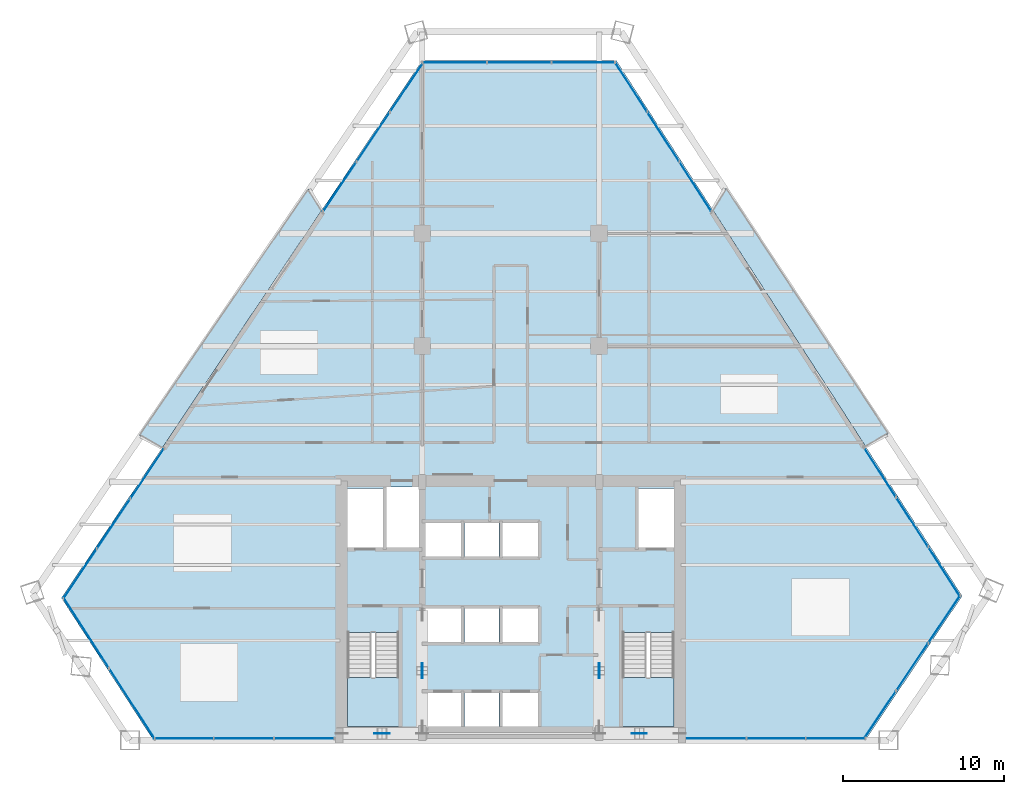
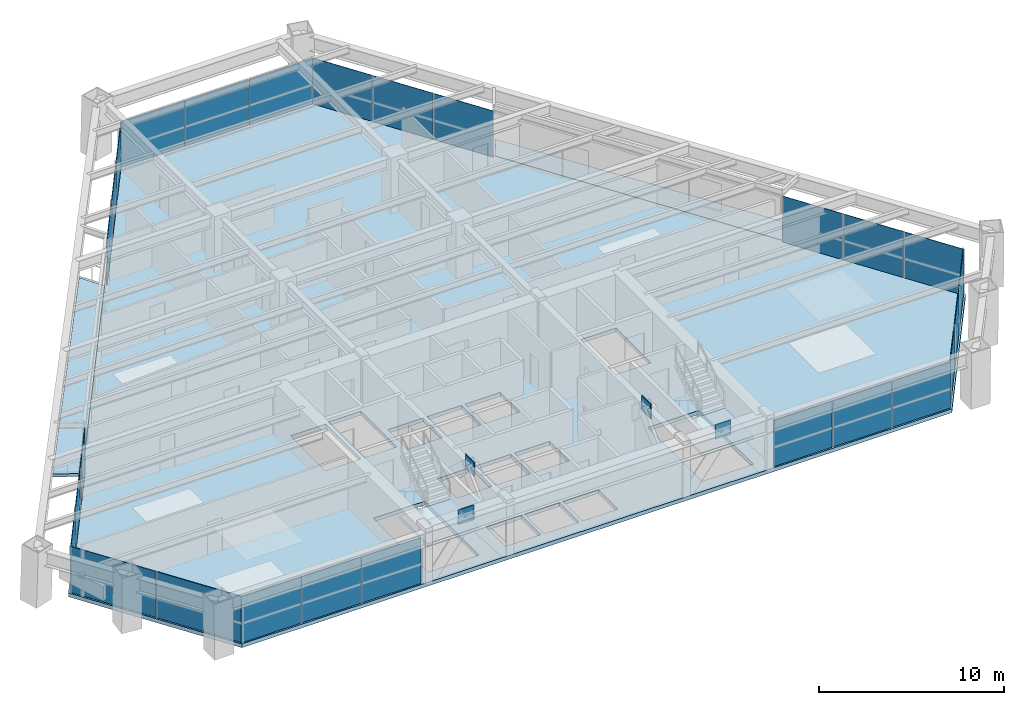
# One storey, part 9 of 14: 30 plates, 5 slabs, 11 elements without a shape of their own.
"""IFC4 building model written with IfcOpenShell, lengths in metres."""

from ifc_helpers import new_model, si_unit, direction, frame, origin, origin_2d, place, context, subcontext, project, spatial, polyline, rectangle, outline, extrude, source, transform, mapped, material, layer, layer_set, type_object, element, aggregate, save


model = new_model("IFC4")

# Units and contexts
model_context = context("Model", 3, precision=1e-05, world=origin(), true_north=direction((0.0, 1.0)))
body_context = subcontext(model_context, "Body", "Model", "MODEL_VIEW")
ifc_project = project(units=[si_unit("LENGTHUNIT", "METRE"), si_unit("AREAUNIT", "SQUARE_METRE"), si_unit("VOLUMEUNIT", "CUBIC_METRE"), si_unit("PLANEANGLEUNIT", "RADIAN"), si_unit("MASSUNIT", "GRAM", prefix="KILO")], contexts=[model_context])

# Site, building, storey
site_placement = place(None, origin())
site = spatial("IfcSite", under=ifc_project, at=site_placement, CompositionType="ELEMENT")
building_placement = place(site_placement, origin())
building = spatial("IfcBuilding", under=site, at=building_placement, Name="Varnakhor Terracotta Tower", CompositionType="ELEMENT")
storey_placement = place(building_placement, frame((0.0, 0.0, 98.800048828125)))
storey = spatial("IfcBuildingStorey", under=building, at=storey_placement, Name="L24", CompositionType="ELEMENT", Elevation=98.800048828125)

# Stair, slab
ifc_material_1 = material(Name="Concrete C40/50", Category="concrete")
stair_type = type_object("IfcStairType", Name="STR-CORE-OFFICE-1500", PredefinedType="HALF_TURN_STAIR", material=ifc_material_1)
stair_1_placement = place(storey_placement, origin())
stair_1 = element("IfcStair", 1, at=stair_1_placement, inside=storey, type_object=stair_type, Name="L24 Core Exit Stair ST-1", PredefinedType="HALF_TURN_STAIR")
ifc_layer_1 = layer(ifc_material_1, 0.179931640625, Name="Concrete C40/50")
ifc_layer_set_1 = layer_set([ifc_layer_1], Name="Concrete C40/50")
slab_type_1 = type_object("IfcSlabType", Name="SLB-LANDING-180", PredefinedType="LANDING", material=ifc_layer_set_1)
slab_1_placement = place(storey_placement, frame((0.0, 0.0, 1.64990234375)))
slab_1 = element("IfcSlab", 2, at=slab_1_placement, type_object=slab_type_1, Name="ST-1 landing 1", PredefinedType="LANDING", context=body_context, shape_type="SweptSolid", body=[
    extrude(outline(polyline([(-10.14990234375, 3.909912109375), (-10.14990234375, 0.85009765625), (-6.949951171875, 0.85009765625), (-6.949951171875, 3.909912109375), (-10.14990234375, 3.909912109375)])), origin(), (0.0, 0.0, 1.0), 0.199951171875),
])
aggregate(stair_1, [slab_1])

stair_2_placement = place(storey_placement, origin())
stair_2 = element("IfcStair", 3, at=stair_2_placement, inside=storey, type_object=stair_type, Name="L24 Core Exit Stair ST-2", PredefinedType="HALF_TURN_STAIR")
slab_2_placement = place(storey_placement, frame((0.0, 0.0, 1.64990234375)))
slab_2 = element("IfcSlab", 4, at=slab_2_placement, type_object=slab_type_1, Name="ST-2 landing 1", PredefinedType="LANDING", context=body_context, shape_type="SweptSolid", body=[
    extrude(outline(polyline([(6.949951171875, 3.909912109375), (6.949951171875, 0.85009765625), (10.14990234375, 0.85009765625), (10.14990234375, 3.909912109375), (6.949951171875, 3.909912109375)])), origin(), (0.0, 0.0, 1.0), 0.199951171875),
])
aggregate(stair_2, [slab_2])

# Slabs
ifc_layer_2 = layer(ifc_material_1, 0.195068359375, Name="Concrete C40/50")
ifc_layer_set_2 = layer_set([ifc_layer_2], Name="Concrete C40/50")
slab_type_2 = type_object("IfcSlabType", Name="SLB-LOGGIA-EXT-195", PredefinedType="FLOOR", material=ifc_layer_set_2)
slab_3_placement = place(storey_placement, frame((0.0, 0.0, -0.195068359375)))
element("IfcSlab", 5, at=slab_3_placement, inside=storey, type_object=slab_type_2, Name="L24 E Recessed Outdoor Loggia Slab", PredefinedType="FLOOR", context=body_context, shape_type="SweptSolid", body=[
    extrude(outline(polyline([(13.381591796875, 34.306640625), (23.467529296875, 19.051513671875), (22.0498046875, 18.286865234375), (21.93359375, 18.466796875), (12.590576171875, 32.929443359375), (13.381591796875, 34.306640625)])), origin(), (0.0, 0.0, 1.0), 0.195068359375),
])
slab_4_placement = place(storey_placement, frame((0.0, 0.0, -0.195068359375)))
element("IfcSlab", 6, at=slab_4_placement, inside=storey, type_object=slab_type_2, Name="L24 W Recessed Outdoor Loggia Slab", PredefinedType="FLOOR", context=body_context, shape_type="SweptSolid", body=[
    extrude(outline(polyline([(-23.071044921875, 18.95703125), (-12.576171875, 34.269775390625), (-11.78369140625, 32.894287109375), (-12.991943359375, 31.09423828125), (-21.649658203125, 18.196044921875), (-23.071044921875, 18.95703125)])), origin(), (0.0, 0.0, 1.0), 0.195068359375),
])
ifc_layer_3 = layer(ifc_material_1, 0.25, Name="Concrete C40/50")
ifc_layer_set_3 = layer_set([ifc_layer_3], Name="Concrete C40/50")
slab_type_3 = type_object("IfcSlabType", Name="SLB-OFF-250", PredefinedType="FLOOR", material=ifc_layer_set_3)
slab_5_placement = place(storey_placement, frame((0.0, 0.0, -0.25)))
element("IfcSlab", 7, at=slab_5_placement, inside=storey, type_object=slab_type_3, Name="L24 Structural Floor Slab", PredefinedType="FLOOR", context=body_context, shape_type="SweptSolid", body=[
    extrude(outline(polyline([(-27.927978515625, 8.8427734375), (-5.50537109375, 42.24755859375), (6.57080078125, 42.24755859375), (28.069580078125, 8.96875), (22.04931640625, 0.0), (-22.21533203125, 0.0), (-27.927978515625, 8.8427734375)]), holes=[polyline([(-3.10009765625, 0.85009765625), (-3.10009765625, 2.949951171875), (-5.300048828125, 2.949951171875), (-5.300048828125, 0.85009765625), (-3.10009765625, 0.85009765625)]), polyline([(-2.8798828125, 0.85009765625), (-0.719970703125, 0.85009765625), (-0.719970703125, 2.949951171875), (-2.8798828125, 2.949951171875), (-2.8798828125, 0.85009765625)]), polyline([(-10.14990234375, 0.85009765625), (-6.949951171875, 0.85009765625), (-6.949951171875, 6.695068359375), (-10.14990234375, 6.695068359375), (-10.14990234375, 0.85009765625)]), polyline([(-5.300048828125, 6.10009765625), (-3.10009765625, 6.10009765625), (-3.10009765625, 8.199951171875), (-5.300048828125, 8.199951171875), (-5.300048828125, 6.10009765625)]), polyline([(-5.300048828125, 11.419921875), (-3.10009765625, 11.419921875), (-3.10009765625, 13.52001953125), (-5.300048828125, 13.52001953125), (-5.300048828125, 11.419921875)]), polyline([(-10.14990234375, 11.8798828125), (-7.949951171875, 11.8798828125), (-7.949951171875, 15.64990234375), (-10.14990234375, 15.64990234375), (-10.14990234375, 11.8798828125)]), polyline([(-7.72998046875, 11.8798828125), (-5.699951171875, 11.8798828125), (-5.699951171875, 15.75), (-7.72998046875, 15.75), (-7.72998046875, 11.8798828125)]), polyline([(1.699951171875, 0.85009765625), (1.699951171875, 2.949951171875), (-0.5, 2.949951171875), (-0.5, 0.85009765625), (1.699951171875, 0.85009765625)]), polyline([(6.949951171875, 0.85009765625), (10.14990234375, 0.85009765625), (10.14990234375, 6.695068359375), (6.949951171875, 6.695068359375), (6.949951171875, 0.85009765625)]), polyline([(-2.8798828125, 6.10009765625), (-0.719970703125, 6.10009765625), (-0.719970703125, 8.199951171875), (-2.8798828125, 8.199951171875), (-2.8798828125, 6.10009765625)]), polyline([(-0.5, 6.10009765625), (1.699951171875, 6.10009765625), (1.699951171875, 8.199951171875), (-0.5, 8.199951171875), (-0.5, 6.10009765625)]), polyline([(-2.8798828125, 11.419921875), (-0.719970703125, 11.419921875), (-0.719970703125, 13.52001953125), (-2.8798828125, 13.52001953125), (-2.8798828125, 11.419921875)]), polyline([(-0.5, 11.419921875), (1.699951171875, 11.419921875), (1.699951171875, 13.52001953125), (-0.5, 13.52001953125), (-0.5, 11.419921875)]), polyline([(7.949951171875, 11.8798828125), (10.14990234375, 11.8798828125), (10.14990234375, 15.64990234375), (7.949951171875, 15.64990234375), (7.949951171875, 11.8798828125)])]), origin(), (0.0, 0.0, 1.0), 0.25),
])

# Plates
ifc_material_2 = material(Name="Steel S460", Category="steel")
ifc_layer_4 = layer(ifc_material_2, 0.050048828125, Name="Steel S460")
ifc_layer_set_4 = layer_set([ifc_layer_4], Name="Steel S460")
plate_type_1 = type_object("IfcPlateType", Name="PLT-GUSSET-50", PredefinedType="USERDEFINED", material=ifc_layer_set_4)
shared_shape_1 = source(origin(), body_context, "Body", "SweptSolid", [
    extrude(rectangle(XDim=0.949951171875, YDim=0.044921875, at=origin_2d()), origin(), (0.0, 0.0, 1.0), 0.949951171875),
])
for number, where, z_axis, x_axis, name in (
    (8, (-8.0, 0.419921875, 2.8251953125), (0.0, 0.0, 1.0), (1.0, 0.0, 0.0), "L24 Core Brace Apex Gusset CSW"),
    (9, (8.0, 0.419921875, 2.8251953125), (0.0, 0.0, 1.0), (1.0, 0.0, 0.0), "L24 Core Brace Apex Gusset CSE"),
    (10, (-5.5, 4.324951171875, 2.8251953125), (0.0, 0.0, 1.0), (0.0, 1.0, 0.0), "L24 Core Brace Apex Gusset CWW"),
    (11, (5.5, 4.324951171875, 2.8251953125), (0.0, 0.0, 1.0), (0.0, 1.0, 0.0), "L24 Core Brace Apex Gusset CWE"),
):
    element("IfcPlate", number, at=place(storey_placement, frame(where, z_axis=z_axis, x_axis=x_axis)), inside=storey, type_object=plate_type_1, Name=name, ObjectType="GUSSET PLATE", PredefinedType="USERDEFINED", context=body_context, shape_type="MappedRepresentation", body=[
        mapped(shared_shape_1, transform((0.0, 0.0, 0.0), scale=1.0)),
    ])

# Curtain wall, plates
ifc_material_3 = material(Name="Anodised Aluminium Curtain Wall System", Category="aluminium")
curtain_wall_type = type_object("IfcCurtainWallType", Name="CW-SYS-LOW-OFFICE", PredefinedType="NOTDEFINED", material=ifc_material_3)
curtain_wall_1_placement = place(storey_placement, origin())
curtain_wall_1 = element("IfcCurtainWall", 12, at=curtain_wall_1_placement, inside=storey, type_object=curtain_wall_type, Name="L24 E Facet Curtain Wall 1", PredefinedType="NOTDEFINED")
ifc_material_4 = material(Name="Solar-Control Low-E Insulated Glass Panel", Category="glass")
ifc_layer_5 = layer(ifc_material_4, 0.0380859375, Name="Solar-Control Low-E Insulated Glass Panel")
ifc_layer_set_5 = layer_set([ifc_layer_5], Name="Solar-Control Low-E Insulated Glass Panel")
plate_type_2 = type_object("IfcPlateType", Name="CWP-02", PredefinedType="CURTAIN_PANEL", material=ifc_layer_set_5)
shared_shape_2 = source(origin(), body_context, "Body", "SweptSolid", [
    extrude(rectangle(XDim=3.6376953125, YDim=0.035888671875, at=origin_2d()), origin(), (0.0, 0.0, 1.0), 3.030029296875),
])
plate_1_placement = place(storey_placement, frame((7.484375, 40.61279296875, 0.0), z_axis=(0.0, 0.0, 1.0), x_axis=(0.54263213388, -0.839970456195, 0.0)))
plate_1 = element("IfcPlate", 13, at=plate_1_placement, type_object=plate_type_2, Name="L24 E Facet Curtain Wall 1 Glazed Panel 1", PredefinedType="CURTAIN_PANEL", context=body_context, shape_type="MappedRepresentation", body=[
    mapped(shared_shape_2, transform((0.0, 0.0, 0.0), scale=1.0)),
])
plate_2_placement = place(storey_placement, frame((9.47998046875, 37.5234375, 0.0), z_axis=(0.0, 0.0, 1.0), x_axis=(0.54263213388, -0.839970456195, 0.0)))
plate_2 = element("IfcPlate", 14, at=plate_2_placement, type_object=plate_type_2, Name="L24 E Facet Curtain Wall 1 Glazed Panel 2", PredefinedType="CURTAIN_PANEL", context=body_context, shape_type="MappedRepresentation", body=[
    mapped(shared_shape_2, transform((0.0, 0.0, 0.0), scale=1.0)),
])
plate_3_placement = place(storey_placement, frame((11.4755859375, 34.43408203125, 0.0), z_axis=(0.0, 0.0, 1.0), x_axis=(0.54263213388, -0.839970456195, 0.0)))
plate_3 = element("IfcPlate", 15, at=plate_3_placement, type_object=plate_type_2, Name="L24 E Facet Curtain Wall 1 Glazed Panel 3", PredefinedType="CURTAIN_PANEL", context=body_context, shape_type="MappedRepresentation", body=[
    mapped(shared_shape_2, transform((0.0, 0.0, 0.0), scale=1.0)),
])
aggregate(curtain_wall_1, [plate_1, plate_2, plate_3])

curtain_wall_2_placement = place(storey_placement, origin())
curtain_wall_2 = element("IfcCurtainWall", 16, at=curtain_wall_2_placement, inside=storey, type_object=curtain_wall_type, Name="L24 E Facet Curtain Wall 2", PredefinedType="NOTDEFINED")
plate_4_placement = place(storey_placement, frame((22.963134765625, 16.65185546875, 0.0), z_axis=(0.0, 0.0, 1.0), x_axis=(0.54263213388, -0.839970456195, 0.0)))
plate_4 = element("IfcPlate", 17, at=plate_4_placement, type_object=plate_type_2, Name="L24 E Facet Curtain Wall 2 Glazed Panel 1", PredefinedType="CURTAIN_PANEL", context=body_context, shape_type="MappedRepresentation", body=[
    mapped(shared_shape_2, transform((0.0, 0.0, 0.0), scale=1.0)),
])
plate_5_placement = place(storey_placement, frame((24.958984375, 13.562744140625, 0.0), z_axis=(0.0, 0.0, 1.0), x_axis=(0.54263213388, -0.839970456195, 0.0)))
plate_5 = element("IfcPlate", 18, at=plate_5_placement, type_object=plate_type_2, Name="L24 E Facet Curtain Wall 2 Glazed Panel 2", PredefinedType="CURTAIN_PANEL", context=body_context, shape_type="MappedRepresentation", body=[
    mapped(shared_shape_2, transform((0.0, 0.0, 0.0), scale=1.0)),
])
plate_6_placement = place(storey_placement, frame((26.95458984375, 10.473388671875, 0.0), z_axis=(0.0, 0.0, 1.0), x_axis=(0.54263213388, -0.839970456195, 0.0)))
plate_6 = element("IfcPlate", 19, at=plate_6_placement, type_object=plate_type_2, Name="L24 E Facet Curtain Wall 2 Glazed Panel 3", PredefinedType="CURTAIN_PANEL", context=body_context, shape_type="MappedRepresentation", body=[
    mapped(shared_shape_2, transform((0.0, 0.0, 0.0), scale=1.0)),
])
aggregate(curtain_wall_2, [plate_4, plate_5, plate_6])

curtain_wall_3_placement = place(storey_placement, origin())
curtain_wall_3 = element("IfcCurtainWall", 20, at=curtain_wall_3_placement, inside=storey, type_object=curtain_wall_type, Name="L24 W Facet Curtain Wall 1", PredefinedType="NOTDEFINED")
shared_shape_3 = source(origin(), body_context, "Body", "SweptSolid", [
    extrude(rectangle(XDim=3.695068359375, YDim=0.035888671875, at=origin_2d()), origin(), (0.0, 0.0, 1.0), 3.030029296875),
])
plate_7_placement = place(storey_placement, frame((-26.770751953125, 10.351318359375, 0.0), z_axis=(0.0, 0.0, 1.0), x_axis=(0.557324930586, 0.830294478933, 0.0)))
plate_7 = element("IfcPlate", 21, at=plate_7_placement, type_object=plate_type_2, Name="L24 W Facet Curtain Wall 1 Glazed Panel 1", PredefinedType="CURTAIN_PANEL", context=body_context, shape_type="MappedRepresentation", body=[
    mapped(shared_shape_3, transform((0.0, 0.0, 0.0), scale=1.0)),
])
plate_8_placement = place(storey_placement, frame((-24.689208984375, 13.452392578125, 0.0), z_axis=(0.0, 0.0, 1.0), x_axis=(0.557324930586, 0.830294478933, 0.0)))
plate_8 = element("IfcPlate", 22, at=plate_8_placement, type_object=plate_type_2, Name="L24 W Facet Curtain Wall 1 Glazed Panel 2", PredefinedType="CURTAIN_PANEL", context=body_context, shape_type="MappedRepresentation", body=[
    mapped(shared_shape_3, transform((0.0, 0.0, 0.0), scale=1.0)),
])
plate_9_placement = place(storey_placement, frame((-22.607421875, 16.5537109375, 0.0), z_axis=(0.0, 0.0, 1.0), x_axis=(0.557324930586, 0.830294478933, 0.0)))
plate_9 = element("IfcPlate", 23, at=plate_9_placement, type_object=plate_type_2, Name="L24 W Facet Curtain Wall 1 Glazed Panel 3", PredefinedType="CURTAIN_PANEL", context=body_context, shape_type="MappedRepresentation", body=[
    mapped(shared_shape_3, transform((0.0, 0.0, 0.0), scale=1.0)),
])
aggregate(curtain_wall_3, [plate_7, plate_8, plate_9])

curtain_wall_4_placement = place(storey_placement, origin())
curtain_wall_4 = element("IfcCurtainWall", 24, at=curtain_wall_4_placement, inside=storey, type_object=curtain_wall_type, Name="L24 W Facet Curtain Wall 2", PredefinedType="NOTDEFINED")
plate_10_placement = place(storey_placement, frame((-10.62646484375, 34.40283203125, 0.0), z_axis=(0.0, 0.0, 1.0), x_axis=(0.557324930586, 0.830294478933, 0.0)))
plate_10 = element("IfcPlate", 25, at=plate_10_placement, type_object=plate_type_2, Name="L24 W Facet Curtain Wall 2 Glazed Panel 1", PredefinedType="CURTAIN_PANEL", context=body_context, shape_type="MappedRepresentation", body=[
    mapped(shared_shape_3, transform((0.0, 0.0, 0.0), scale=1.0)),
])
plate_11_placement = place(storey_placement, frame((-8.544921875, 37.50390625, 0.0), z_axis=(0.0, 0.0, 1.0), x_axis=(0.557324930586, 0.830294478933, 0.0)))
plate_11 = element("IfcPlate", 26, at=plate_11_placement, type_object=plate_type_2, Name="L24 W Facet Curtain Wall 2 Glazed Panel 2", PredefinedType="CURTAIN_PANEL", context=body_context, shape_type="MappedRepresentation", body=[
    mapped(shared_shape_3, transform((0.0, 0.0, 0.0), scale=1.0)),
])
plate_12_placement = place(storey_placement, frame((-6.463134765625, 40.605224609375, 0.0), z_axis=(0.0, 0.0, 1.0), x_axis=(0.557324930586, 0.830294478933, 0.0)))
plate_12 = element("IfcPlate", 27, at=plate_12_placement, type_object=plate_type_2, Name="L24 W Facet Curtain Wall 2 Glazed Panel 3", PredefinedType="CURTAIN_PANEL", context=body_context, shape_type="MappedRepresentation", body=[
    mapped(shared_shape_3, transform((0.0, 0.0, 0.0), scale=1.0)),
])
aggregate(curtain_wall_4, [plate_10, plate_11, plate_12])

curtain_wall_5_placement = place(storey_placement, origin())
curtain_wall_5 = element("IfcCurtainWall", 28, at=curtain_wall_5_placement, inside=storey, type_object=curtain_wall_type, Name="L24 Facet Curtain Wall 2", PredefinedType="NOTDEFINED")
shared_shape_4 = source(origin(), body_context, "Body", "SweptSolid", [
    extrude(rectangle(XDim=3.96533203125, YDim=0.035888671875, at=origin_2d()), origin(), (0.0, 0.0, 1.0), 3.030029296875),
])
plate_13_placement = place(storey_placement, frame((-3.47265625, 42.127685546875, 0.0), z_axis=(0.0, 0.0, 1.0), x_axis=(1.0, 0.0, 0.0)))
plate_13 = element("IfcPlate", 29, at=plate_13_placement, type_object=plate_type_2, Name="L24 Facet Curtain Wall 2 Glazed Panel 1", PredefinedType="CURTAIN_PANEL", context=body_context, shape_type="MappedRepresentation", body=[
    mapped(shared_shape_4, transform((0.0, 0.0, 0.0), scale=1.0)),
])
plate_14_placement = place(storey_placement, frame((0.53271484375, 42.127685546875, 0.0), z_axis=(0.0, 0.0, 1.0), x_axis=(1.0, 0.0, 0.0)))
plate_14 = element("IfcPlate", 30, at=plate_14_placement, type_object=plate_type_2, Name="L24 Facet Curtain Wall 2 Glazed Panel 2", PredefinedType="CURTAIN_PANEL", context=body_context, shape_type="MappedRepresentation", body=[
    mapped(shared_shape_4, transform((0.0, 0.0, 0.0), scale=1.0)),
])
plate_15_placement = place(storey_placement, frame((4.5380859375, 42.127685546875, 0.0), z_axis=(0.0, 0.0, 1.0), x_axis=(1.0, 0.0, 0.0)))
plate_15 = element("IfcPlate", 31, at=plate_15_placement, type_object=plate_type_2, Name="L24 Facet Curtain Wall 2 Glazed Panel 3", PredefinedType="CURTAIN_PANEL", context=body_context, shape_type="MappedRepresentation", body=[
    mapped(shared_shape_4, transform((0.0, 0.0, 0.0), scale=1.0)),
])
aggregate(curtain_wall_5, [plate_13, plate_14, plate_15])

curtain_wall_6_placement = place(storey_placement, origin())
curtain_wall_6 = element("IfcCurtainWall", 32, at=curtain_wall_6_placement, inside=storey, type_object=curtain_wall_type, Name="L24 Facet Curtain Wall 4", PredefinedType="NOTDEFINED")
shared_shape_5 = source(origin(), body_context, "Body", "SweptSolid", [
    extrude(rectangle(XDim=3.54052734375, YDim=0.035888671875, at=origin_2d()), origin(), (0.0, 0.0, 1.0), 3.030029296875),
])
plate_16_placement = place(storey_placement, frame((26.955322265625, 7.5244140625, 0.0), z_axis=(0.0, 0.0, 1.0), x_axis=(-0.557324930586, -0.830294478933, 0.0)))
plate_16 = element("IfcPlate", 33, at=plate_16_placement, type_object=plate_type_2, Name="L24 Facet Curtain Wall 4 Glazed Panel 1", PredefinedType="CURTAIN_PANEL", context=body_context, shape_type="MappedRepresentation", body=[
    mapped(shared_shape_5, transform((0.0, 0.0, 0.0), scale=1.0)),
])
shared_shape_6 = source(origin(), body_context, "Body", "SweptSolid", [
    extrude(rectangle(XDim=3.540771484375, YDim=0.035888671875, at=origin_2d()), origin(), (0.0, 0.0, 1.0), 3.030029296875),
])
plate_17_placement = place(storey_placement, frame((24.959716796875, 4.55126953125, 0.0), z_axis=(0.0, 0.0, 1.0), x_axis=(-0.557324930586, -0.830294478933, 0.0)))
plate_17 = element("IfcPlate", 34, at=plate_17_placement, type_object=plate_type_2, Name="L24 Facet Curtain Wall 4 Glazed Panel 2", PredefinedType="CURTAIN_PANEL", context=body_context, shape_type="MappedRepresentation", body=[
    mapped(shared_shape_6, transform((0.0, 0.0, 0.0), scale=1.0)),
])
plate_18_placement = place(storey_placement, frame((22.964111328125, 1.578369140625, 0.0), z_axis=(0.0, 0.0, 1.0), x_axis=(-0.557324930586, -0.830294478933, 0.0)))
plate_18 = element("IfcPlate", 35, at=plate_18_placement, type_object=plate_type_2, Name="L24 Facet Curtain Wall 4 Glazed Panel 3", PredefinedType="CURTAIN_PANEL", context=body_context, shape_type="MappedRepresentation", body=[
    mapped(shared_shape_6, transform((0.0, 0.0, 0.0), scale=1.0)),
])
aggregate(curtain_wall_6, [plate_16, plate_17, plate_18])

curtain_wall_7_placement = place(storey_placement, origin())
curtain_wall_7 = element("IfcCurtainWall", 36, at=curtain_wall_7_placement, inside=storey, type_object=curtain_wall_type, Name="L24 South Wing Curtain Wall SSE", PredefinedType="NOTDEFINED")
shared_shape_7 = source(origin(), body_context, "Body", "SweptSolid", [
    extrude(rectangle(XDim=3.64990234375, YDim=0.035888671875, at=origin_2d()), origin(), (0.0, 0.0, 1.0), 3.030029296875),
])
plate_19_placement = place(storey_placement, frame((20.1943359375, 0.1201171875, 0.0), z_axis=(0.0, 0.0, 1.0), x_axis=(-1.0, 0.0, 0.0)))
plate_19 = element("IfcPlate", 37, at=plate_19_placement, type_object=plate_type_2, Name="L24 South Wing Curtain Wall SSE Glazed Panel 1", PredefinedType="CURTAIN_PANEL", context=body_context, shape_type="MappedRepresentation", body=[
    mapped(shared_shape_7, transform((0.0, 0.0, 0.0), scale=1.0)),
])
plate_20_placement = place(storey_placement, frame((12.81494140625, 0.1201171875, 0.0), z_axis=(0.0, 0.0, 1.0), x_axis=(-1.0, 0.0, 0.0)))
plate_20 = element("IfcPlate", 38, at=plate_20_placement, type_object=plate_type_2, Name="L24 South Wing Curtain Wall SSE Glazed Panel 3", PredefinedType="CURTAIN_PANEL", context=body_context, shape_type="MappedRepresentation", body=[
    mapped(shared_shape_7, transform((0.0, 0.0, 0.0), scale=1.0)),
])
shared_shape_8 = source(origin(), body_context, "Body", "SweptSolid", [
    extrude(rectangle(XDim=3.649658203125, YDim=0.035888671875, at=origin_2d()), origin(), (0.0, 0.0, 1.0), 3.030029296875),
])
plate_21_placement = place(storey_placement, frame((16.504638671875, 0.1201171875, 0.0), z_axis=(0.0, 0.0, 1.0), x_axis=(-1.0, 0.0, 0.0)))
plate_21 = element("IfcPlate", 39, at=plate_21_placement, type_object=plate_type_2, Name="L24 South Wing Curtain Wall SSE Glazed Panel 2", PredefinedType="CURTAIN_PANEL", context=body_context, shape_type="MappedRepresentation", body=[
    mapped(shared_shape_8, transform((0.0, 0.0, 0.0), scale=1.0)),
])
aggregate(curtain_wall_7, [plate_19, plate_21, plate_20])

curtain_wall_8_placement = place(storey_placement, origin())
curtain_wall_8 = element("IfcCurtainWall", 40, at=curtain_wall_8_placement, inside=storey, type_object=curtain_wall_type, Name="L24 South Wing Curtain Wall SSW", PredefinedType="NOTDEFINED")
shared_shape_9 = source(origin(), body_context, "Body", "SweptSolid", [
    extrude(rectangle(XDim=3.705078125, YDim=0.035888671875, at=origin_2d()), origin(), (0.0, 0.0, 1.0), 3.030029296875),
])
plate_22_placement = place(storey_placement, frame((-12.842529296875, 0.1201171875, 0.0), z_axis=(0.0, 0.0, 1.0), x_axis=(-1.0, 0.0, 0.0)))
plate_22 = element("IfcPlate", 41, at=plate_22_placement, type_object=plate_type_2, Name="L24 South Wing Curtain Wall SSW Glazed Panel 1", PredefinedType="CURTAIN_PANEL", context=body_context, shape_type="MappedRepresentation", body=[
    mapped(shared_shape_9, transform((0.0, 0.0, 0.0), scale=1.0)),
])
plate_23_placement = place(storey_placement, frame((-16.587646484375, 0.1201171875, 0.0), z_axis=(0.0, 0.0, 1.0), x_axis=(-1.0, 0.0, 0.0)))
plate_23 = element("IfcPlate", 42, at=plate_23_placement, type_object=plate_type_2, Name="L24 South Wing Curtain Wall SSW Glazed Panel 2", PredefinedType="CURTAIN_PANEL", context=body_context, shape_type="MappedRepresentation", body=[
    mapped(shared_shape_9, transform((0.0, 0.0, 0.0), scale=1.0)),
])
plate_24_placement = place(storey_placement, frame((-20.3330078125, 0.1201171875, 0.0), z_axis=(0.0, 0.0, 1.0), x_axis=(-1.0, 0.0, 0.0)))
plate_24 = element("IfcPlate", 43, at=plate_24_placement, type_object=plate_type_2, Name="L24 South Wing Curtain Wall SSW Glazed Panel 3", PredefinedType="CURTAIN_PANEL", context=body_context, shape_type="MappedRepresentation", body=[
    mapped(shared_shape_9, transform((0.0, 0.0, 0.0), scale=1.0)),
])
aggregate(curtain_wall_8, [plate_22, plate_23, plate_24])

curtain_wall_9_placement = place(storey_placement, origin())
curtain_wall_9 = element("IfcCurtainWall", 44, at=curtain_wall_9_placement, inside=storey, type_object=curtain_wall_type, Name="L24 Facet Curtain Wall 6", PredefinedType="NOTDEFINED")
shared_shape_10 = source(origin(), body_context, "Body", "SweptSolid", [
    extrude(rectangle(XDim=5.19384765625, YDim=0.035888671875, at=origin_2d()), origin(), (0.0, 0.0, 1.0), 3.030029296875),
])
plate_25_placement = place(storey_placement, frame((-23.55078125, 2.288330078125, 0.0), z_axis=(0.0, 0.0, 1.0), x_axis=(-0.54263213388, 0.839970456195, 0.0)))
plate_25 = element("IfcPlate", 45, at=plate_25_placement, type_object=plate_type_2, Name="L24 Facet Curtain Wall 6 Glazed Panel 1", PredefinedType="CURTAIN_PANEL", context=body_context, shape_type="MappedRepresentation", body=[
    mapped(shared_shape_10, transform((0.0, 0.0, 0.0), scale=1.0)),
])
shared_shape_11 = source(origin(), body_context, "Body", "SweptSolid", [
    extrude(rectangle(XDim=5.193603515625, YDim=0.035888671875, at=origin_2d()), origin(), (0.0, 0.0, 1.0), 3.030029296875),
])
plate_26_placement = place(storey_placement, frame((-26.390869140625, 6.6845703125, 0.0), z_axis=(0.0, 0.0, 1.0), x_axis=(-0.54263213388, 0.839970456195, 0.0)))
plate_26 = element("IfcPlate", 46, at=plate_26_placement, type_object=plate_type_2, Name="L24 Facet Curtain Wall 6 Glazed Panel 2", PredefinedType="CURTAIN_PANEL", context=body_context, shape_type="MappedRepresentation", body=[
    mapped(shared_shape_11, transform((0.0, 0.0, 0.0), scale=1.0)),
])
aggregate(curtain_wall_9, [plate_25, plate_26])

save(model, "model.ifc")
